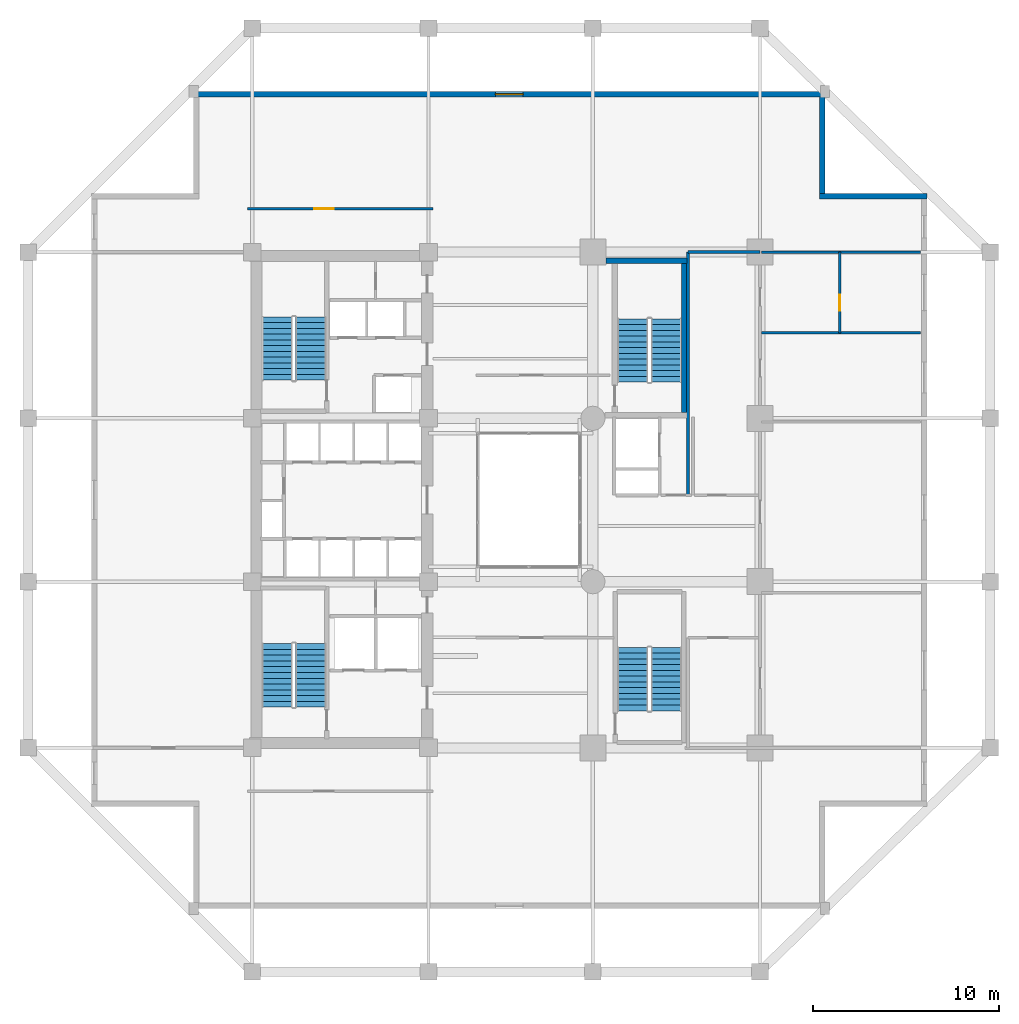
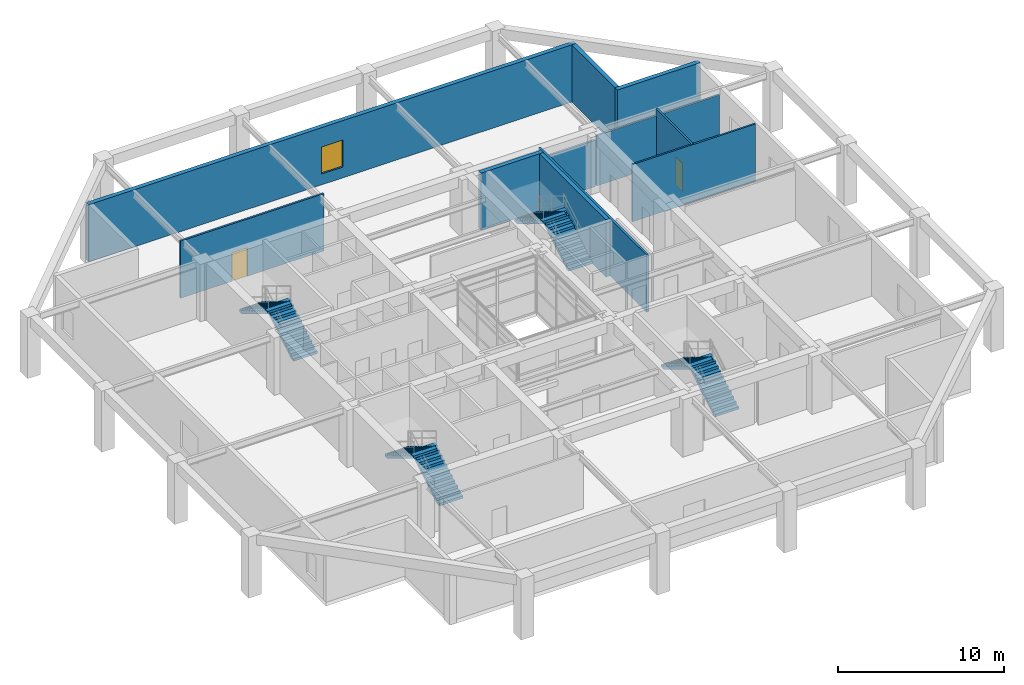
# One storey, part 9 of 10: 11 walls, 8 stair flights, 2 doors, 1 window, 3 openings, 4 elements without a shape of their own.
"""IFC4 building model written with IfcOpenShell, lengths in metres."""

from ifc_helpers import new_model, si_unit, direction, frame, frame_2d, origin, place, context, subcontext, project, spatial, polyline, rectangle, outline, extrude, material, layer, layer_set, type_object, element, fill, aggregate, save


model = new_model("IFC4")

# Units and contexts
model_context = context("Model", 3, precision=1e-05, world=origin(), true_north=direction((0.0, 1.0)))
body_context = subcontext(model_context, "Body", "Model", "MODEL_VIEW")
ifc_project = project(units=[si_unit("LENGTHUNIT", "METRE"), si_unit("AREAUNIT", "SQUARE_METRE"), si_unit("VOLUMEUNIT", "CUBIC_METRE"), si_unit("PLANEANGLEUNIT", "RADIAN"), si_unit("MASSUNIT", "GRAM", prefix="KILO")], contexts=[model_context])

# Site, building, storey
site_placement = place(None, origin())
site = spatial("IfcSite", under=ifc_project, at=site_placement, CompositionType="ELEMENT")
building_placement = place(site_placement, origin())
building = spatial("IfcBuilding", under=site, at=building_placement, Name="Kundavana Baori Tower", CompositionType="ELEMENT")
storey_placement = place(building_placement, frame((0.0, 0.0, 8.0)))
storey = spatial("IfcBuildingStorey", under=building, at=storey_placement, Name="L01", CompositionType="ELEMENT", Elevation=8.0)

# Walls
ifc_material_1 = material(Name="Red-Buff Dholpur Sandstone Cladding on Concrete C40/50", Category="masonry")
ifc_layer_1 = layer(ifc_material_1, 0.300048828125, Name="WL-EXT-SAND-300")
ifc_layer_set_1 = layer_set([ifc_layer_1], Name="Red-Buff Dholpur Sandstone Cladding on Concrete C40/50")
wall_type_1 = type_object("IfcWallType", Name="WL-EXT-SAND-300", PredefinedType="STANDARD", material=ifc_layer_set_1)
wall_1_placement = place(storey_placement, frame((51.800048828125, 44.949951171875, 0.0), z_axis=(0.0, 0.0, 1.0), x_axis=(-1.0, 0.0, 0.0)))
element("IfcWall", 1, at=wall_1_placement, inside=storey, type_object=wall_type_1, Name="L01 Exterior Insulated Facade Wall 05", PredefinedType="STANDARD", context=body_context, shape_type="SweptSolid", body=[
    extrude(rectangle(XDim=5.800048828125, YDim=0.300048828125, at=frame_2d((2.89990234375, 0.0))), origin(), (0.0, 0.0, 1.0), 4.219970703125),
])
wall_2_placement = place(storey_placement, frame((46.14990234375, 45.10009765625, 0.0), z_axis=(0.0, 0.0, 1.0), x_axis=(0.0, 1.0, 0.0)))
element("IfcWall", 2, at=wall_2_placement, inside=storey, type_object=wall_type_1, Name="L01 Exterior Insulated Facade Wall 06", PredefinedType="STANDARD", context=body_context, shape_type="SweptSolid", body=[
    extrude(rectangle(XDim=5.199951171875, YDim=0.300048828125, at=frame_2d((2.60009765625, 0.0))), origin(), (0.0, 0.0, 1.0), 4.219970703125),
])

# Wall, opening, window
wall_3_placement = place(storey_placement, frame((46.300048828125, 50.449951171875, 0.0), z_axis=(0.0, 0.0, 1.0), x_axis=(-1.0, 0.0, 0.0)))
wall_3 = element("IfcWall", 3, at=wall_3_placement, inside=storey, type_object=wall_type_1, Name="L01 Exterior Insulated Facade Wall 07", PredefinedType="STANDARD", context=body_context, shape_type="SweptSolid", body=[
    extrude(rectangle(XDim=34.0, YDim=0.300048828125, at=frame_2d((17.0, 0.0))), origin(), (0.0, 0.0, 1.0), 4.219970703125),
])
opening_1_placement = place(wall_3_placement, frame((16.25, 0.0, 0.800048828125)))
opening_1 = element("IfcOpeningElement", 4, at=opening_1_placement, cuts=wall_3, Name="Opening W-02", PredefinedType="OPENING", context=body_context, shape_type="SweptSolid", body=[
    extrude(rectangle(XDim=1.5, YDim=2.0, at=frame_2d((0.75, 1.0))), frame((0.0, 0.16015625, 0.0), z_axis=(0.0, -1.0, 0.0), x_axis=(1.0, 0.0, 0.0)), (0.0, 0.0, 1.0), 0.320068359375),
])
ifc_material_2 = material(Name="Double-Glazed Solar-Control Low-E Insulated Glass", Category="glass")
window_type = type_object("IfcWindowType", Name="WIN-LOG-1500x2000", PartitioningType="SINGLE_PANEL", PredefinedType="WINDOW", material=ifc_material_2)
window_placement = place(opening_1_placement, origin())
window = element("IfcWindow", 5, at=window_placement, inside=storey, type_object=window_type, Name="L01 Recessed Loggia Window N-1", OverallHeight=2.0, OverallWidth=1.5, PartitioningType="SINGLE_PANEL", PredefinedType="WINDOW", context=body_context, shape_type="SweptSolid", body=[
    extrude(rectangle(XDim=1.5, YDim=2.0, at=frame_2d((0.75, 1.0))), frame((0.0, 0.030029296875, 0.0), z_axis=(0.0, -1.0, 0.0), x_axis=(1.0, 0.0, 0.0)), (0.0, 0.0, 1.0), 0.06005859375),
])
fill(opening_1, window)

# Wall, opening, door
ifc_material_3 = material(Name="Acoustic Gypsum Plasterboard on Galvanised Steel Studs", Category="steel")
ifc_layer_2 = layer(ifc_material_3, 0.135009765625, Name="WL-PART-135")
ifc_layer_set_2 = layer_set([ifc_layer_2], Name="Acoustic Gypsum Plasterboard on Galvanised Steel Studs")
wall_type_2 = type_object("IfcWallType", Name="WL-PART-135", PredefinedType="PARTITIONING", material=ifc_layer_set_2)
wall_4_placement = place(storey_placement, frame((15.199951171875, 44.280029296875, 0.0), z_axis=(0.0, 0.0, 1.0), x_axis=(1.0, 0.0, 0.0)))
wall_4 = element("IfcWall", 6, at=wall_4_placement, inside=storey, type_object=wall_type_2, Name="WL-L01-NC", PredefinedType="PARTITIONING", context=body_context, shape_type="SweptSolid", body=[
    extrude(rectangle(XDim=10.0, YDim=0.135009765625, at=frame_2d((5.0, 0.0))), origin(), (0.0, 0.0, 1.0), 4.219970703125),
])
opening_2_placement = place(wall_4_placement, frame((3.60009765625, 0.0, 0.0)))
opening_2 = element("IfcOpeningElement", 7, at=opening_2_placement, cuts=wall_4, Name="Opening ID-105", PredefinedType="OPENING", context=body_context, shape_type="SweptSolid", body=[
    extrude(rectangle(XDim=1.050048828125, YDim=2.10009765625, at=frame_2d((0.52490234375, 1.050048828125))), frame((0.0, 0.07763671875, 0.0), z_axis=(0.0, -1.0, 0.0), x_axis=(1.0, 0.0, 0.0)), (0.0, 0.0, 1.0), 0.155029296875),
])
ifc_material_4 = material(Name="Engineered Teak Solid-Core Timber Veneer", Category="wood")
door_type_1 = type_object("IfcDoorType", Name="DR-INT-1050", OperationType="NOTDEFINED", PredefinedType="DOOR", material=ifc_material_4)
door_1_placement = place(opening_2_placement, origin())
door_1 = element("IfcDoor", 8, at=door_1_placement, inside=storey, type_object=door_type_1, Name="DR-L01-RNW", OperationType="SINGLE_SWING_RIGHT", OverallHeight=2.10009765625, OverallWidth=1.050048828125, PredefinedType="DOOR", context=body_context, shape_type="SweptSolid", body=[
    extrude(rectangle(XDim=1.050048828125, YDim=2.10009765625, at=frame_2d((0.52490234375, 1.050048828125))), frame((0.0, 0.02490234375, 0.0), z_axis=(0.0, -1.0, 0.0), x_axis=(1.0, 0.0, 0.0)), (0.0, 0.0, 1.0), 0.050048828125),
])
fill(opening_2, door_1)

# Walls
ifc_material_5 = material(Name="Fire-Rated Gypsum Drywall on Galvanised Steel Studs", Category="steel")
ifc_layer_3 = layer(ifc_material_5, 0.14990234375, Name="WL-PART-150")
ifc_layer_set_3 = layer_set([ifc_layer_3], Name="Fire-Rated Gypsum Drywall on Galvanised Steel Studs")
wall_type_3 = type_object("IfcWallType", Name="WL-PART-150", PredefinedType="PARTITIONING", material=ifc_layer_set_3)
wall_5_placement = place(storey_placement, frame((38.919921875, 28.860107421875, 0.0), z_axis=(0.0, 0.0, 1.0), x_axis=(0.0, 1.0, 0.0)))
element("IfcWall", 9, at=wall_5_placement, inside=storey, type_object=wall_type_3, Name="WL-L01-PEATW", PredefinedType="PARTITIONING", context=body_context, shape_type="SweptSolid", body=[
    extrude(rectangle(XDim=13.08984375, YDim=0.14990234375, at=frame_2d((6.544921875, 0.0))), origin(), (0.0, 0.0, 1.0), 4.219970703125),
])
wall_6_placement = place(storey_placement, frame((38.919921875, 41.949951171875, 0.0), z_axis=(0.0, 0.0, 1.0), x_axis=(1.0, 0.0, 0.0)))
element("IfcWall", 10, at=wall_6_placement, inside=storey, type_object=wall_type_3, Name="WL-L01-PEATN", PredefinedType="PARTITIONING", context=body_context, shape_type="SweptSolid", body=[
    extrude(rectangle(XDim=3.880126953125, YDim=0.14990234375, at=frame_2d((1.93994140625, 0.0))), origin(), (0.0, 0.0, 1.0), 3.419921875),
])
ifc_material_6 = material(Name="Concrete C50/60", Category="concrete")
ifc_layer_4 = layer(ifc_material_6, 0.300048828125, Name="WL-ST3-300")
ifc_layer_set_4 = layer_set([ifc_layer_4], Name="Concrete C50/60")
wall_type_4 = type_object("IfcWallType", Name="WL-ST3-300", PredefinedType="SHEAR", material=ifc_layer_set_4)
wall_7_placement = place(storey_placement, frame((34.5, 41.489990234375, 0.0), z_axis=(0.0, 0.0, 1.0), x_axis=(1.0, 0.0, 0.0)))
element("IfcWall", 11, at=wall_7_placement, inside=storey, type_object=wall_type_4, Name="L01 Stair ST3 North Shear Wall", PredefinedType="SHEAR", context=body_context, shape_type="SweptSolid", body=[
    extrude(rectangle(XDim=4.3701171875, YDim=0.300048828125, at=frame_2d((2.18505859375, 0.0))), origin(), (0.0, 0.0, 1.0), 4.219970703125),
])
wall_8_placement = place(storey_placement, frame((38.719970703125, 33.31005859375, 0.0), z_axis=(0.0, 0.0, 1.0), x_axis=(0.0, 1.0, 0.0)))
element("IfcWall", 12, at=wall_8_placement, inside=storey, type_object=wall_type_4, Name="L01 Stair ST3 East Shear Wall", PredefinedType="SHEAR", context=body_context, shape_type="SweptSolid", body=[
    extrude(rectangle(XDim=8.030029296875, YDim=0.300048828125, at=frame_2d((4.01513671875, 0.0))), origin(), (0.0, 0.0, 1.0), 4.219970703125),
])
ifc_material_7 = material(Name="Autoclaved Aerated Concrete Blockwork Masonry", Category="masonry")
ifc_layer_5 = layer(ifc_material_7, 0.125, Name="WL-WET-120")
ifc_layer_set_5 = layer_set([ifc_layer_5], Name="Autoclaved Aerated Concrete Blockwork Masonry")
wall_type_5 = type_object("IfcWallType", Name="WL-WET-120", PredefinedType="PLUMBINGWALL", material=ifc_layer_set_5)
wall_9_placement = place(storey_placement, frame((42.8798828125, 41.949951171875, 0.0), z_axis=(0.0, 0.0, 1.0), x_axis=(1.0, 0.0, 0.0)))
element("IfcWall", 13, at=wall_9_placement, inside=storey, type_object=wall_type_5, Name="WL-L01-PODE-N", PredefinedType="PLUMBINGWALL", context=body_context, shape_type="SweptSolid", body=[
    extrude(rectangle(XDim=8.570068359375, YDim=0.125, at=frame_2d((4.28515625, 0.0))), origin(), (0.0, 0.0, 1.0), 3.719970703125),
])
wall_10_placement = place(storey_placement, frame((42.8798828125, 37.60009765625, 0.0), z_axis=(0.0, 0.0, 1.0), x_axis=(1.0, 0.0, 0.0)))
element("IfcWall", 14, at=wall_10_placement, inside=storey, type_object=wall_type_5, Name="WL-L01-ED3", PredefinedType="PLUMBINGWALL", context=body_context, shape_type="SweptSolid", body=[
    extrude(rectangle(XDim=8.570068359375, YDim=0.125, at=frame_2d((4.28515625, 0.0))), origin(), (0.0, 0.0, 1.0), 4.219970703125),
])

# Wall, opening, door
wall_11_placement = place(storey_placement, frame((47.10009765625, 37.60009765625, 0.0), z_axis=(0.0, 0.0, 1.0), x_axis=(0.0, 1.0, 0.0)))
wall_11 = element("IfcWall", 15, at=wall_11_placement, inside=storey, type_object=wall_type_5, Name="WL-L01-WCAD", PredefinedType="PLUMBINGWALL", context=body_context, shape_type="SweptSolid", body=[
    extrude(rectangle(XDim=4.349853515625, YDim=0.125, at=frame_2d((2.1748046875, 0.0))), origin(), (0.0, 0.0, 1.0), 4.219970703125),
])
opening_3_placement = place(wall_11_placement, frame((1.199951171875, 0.0, 0.0)))
opening_3 = element("IfcOpeningElement", 16, at=opening_3_placement, cuts=wall_11, Name="Opening WD-085", PredefinedType="OPENING", context=body_context, shape_type="SweptSolid", body=[
    extrude(rectangle(XDim=0.85009765625, YDim=2.050048828125, at=frame_2d((0.425048828125, 1.02490234375))), frame((0.0, 0.072509765625, 0.0), z_axis=(0.0, -1.0, 0.0), x_axis=(1.0, 0.0, 0.0)), (0.0, 0.0, 1.0), 0.14501953125),
])
ifc_material_8 = material(Name="Engineered Teak Solid-Core Timber Veneer", Category="wood")
door_type_2 = type_object("IfcDoorType", Name="DR-WET-850", OperationType="NOTDEFINED", PredefinedType="DOOR", material=ifc_material_8)
door_2_placement = place(opening_3_placement, origin())
door_2 = element("IfcDoor", 17, at=door_2_placement, inside=storey, type_object=door_type_2, Name="DR-L01-WCPR", OperationType="SINGLE_SWING_LEFT", OverallHeight=2.050048828125, OverallWidth=0.85009765625, PredefinedType="DOOR", context=body_context, shape_type="SweptSolid", body=[
    extrude(rectangle(XDim=0.85009765625, YDim=2.050048828125, at=frame_2d((0.425048828125, 1.02490234375))), frame((0.0, 0.02490234375, 0.0), z_axis=(0.0, -1.0, 0.0), x_axis=(1.0, 0.0, 0.0)), (0.0, 0.0, 1.0), 0.050048828125),
])
fill(opening_3, door_2)

# Stair, stair flights
ifc_material_9 = material(Name="Concrete C40/50", Category="concrete")
stair_type = type_object("IfcStairType", Name="STR-DOG-1650", PredefinedType="HALF_TURN_STAIR", material=ifc_material_9)
stair_1_placement = place(storey_placement, origin())
stair_1 = element("IfcStair", 18, at=stair_1_placement, inside=storey, type_object=stair_type, Name="L01 Protected Exit Stair ST1", PredefinedType="HALF_TURN_STAIR")
ifc_material_10 = material(Name="Concrete C40/50", Category="concrete")
stair_flight_type = type_object("IfcStairFlightType", Name="SFL-RC-1650", PredefinedType="STRAIGHT", material=ifc_material_10)
stair_flight_1_placement = place(storey_placement, frame((18.614990234375, 17.449951171875, 0.0), z_axis=(0.0, 0.0, 1.0), x_axis=(0.0, 1.0, 0.0)))
stair_flight_1 = element("IfcStairFlight", 19, at=stair_flight_1_placement, type_object=stair_flight_type, Name="ST1 flight 1", NumberOfRisers=12, NumberOfTreads=11, PredefinedType="STRAIGHT", RiserHeight=0.1875, TreadLength=0.31, context=body_context, shape_type="SweptSolid", body=[
    extrude(outline(polyline([(0.0, 0.0), (0.0, 0.1875), (0.31005859375, 0.1875), (0.31005859375, 0.375), (0.6201171875, 0.375), (0.6201171875, 0.5625), (0.929931640625, 0.5625), (0.929931640625, 0.75), (1.239990234375, 0.75), (1.239990234375, 0.9375), (1.550048828125, 0.9375), (1.550048828125, 1.125), (1.860107421875, 1.125), (1.860107421875, 1.3125), (2.169921875, 1.3125), (2.169921875, 1.5), (2.47998046875, 1.5), (2.47998046875, 1.6875), (2.7900390625, 1.6875), (2.7900390625, 1.875), (3.10009765625, 1.875), (3.10009765625, 2.0625), (3.409912109375, 2.0625), (3.409912109375, 2.25), (3.409912109375, 1.88720703125), (0.28955078125, 0.0), (0.0, 0.0)])), frame((0.0, 0.824951171875, 0.0), z_axis=(0.0, -1.0, 0.0), x_axis=(1.0, 0.0, 0.0)), (0.0, 0.0, 1.0), 1.64990234375),
])
stair_flight_2_placement = place(storey_placement, frame((16.804931640625, 20.860107421875, 2.25), z_axis=(0.0, 0.0, 1.0), x_axis=(0.0, -1.0, 0.0)))
stair_flight_2 = element("IfcStairFlight", 20, at=stair_flight_2_placement, type_object=stair_flight_type, Name="ST1 flight 2", NumberOfRisers=12, NumberOfTreads=11, PredefinedType="STRAIGHT", RiserHeight=0.1875, TreadLength=0.31, context=body_context, shape_type="SweptSolid", body=[
    extrude(outline(polyline([(0.0, 0.0), (0.0, 0.1875), (0.31005859375, 0.1875), (0.31005859375, 0.375), (0.6201171875, 0.375), (0.6201171875, 0.5625), (0.929931640625, 0.5625), (0.929931640625, 0.75), (1.239990234375, 0.75), (1.239990234375, 0.9375), (1.550048828125, 0.9375), (1.550048828125, 1.125), (1.860107421875, 1.125), (1.860107421875, 1.3125), (2.169921875, 1.3125), (2.169921875, 1.5), (2.47998046875, 1.5), (2.47998046875, 1.6875), (2.7900390625, 1.6875), (2.7900390625, 1.875), (3.10009765625, 1.875), (3.10009765625, 2.0625), (3.409912109375, 2.0625), (3.409912109375, 2.25), (3.409912109375, 1.88720703125), (0.28955078125, 0.0), (0.0, 0.0)])), frame((0.0, 0.824951171875, 0.0), z_axis=(0.0, -1.0, 0.0), x_axis=(1.0, 0.0, 0.0)), (0.0, 0.0, 1.0), 1.64990234375),
])
aggregate(stair_1, [stair_flight_1, stair_flight_2])

stair_2_placement = place(storey_placement, origin())
stair_2 = element("IfcStair", 21, at=stair_2_placement, inside=storey, type_object=stair_type, Name="L01 Protected Exit Stair ST2", PredefinedType="HALF_TURN_STAIR")
stair_flight_3_placement = place(storey_placement, frame((18.614990234375, 35.050048828125, 0.0), z_axis=(0.0, 0.0, 1.0), x_axis=(0.0, 1.0, 0.0)))
stair_flight_3 = element("IfcStairFlight", 22, at=stair_flight_3_placement, type_object=stair_flight_type, Name="ST2 flight 1", NumberOfRisers=12, NumberOfTreads=11, PredefinedType="STRAIGHT", RiserHeight=0.1875, TreadLength=0.31, context=body_context, shape_type="SweptSolid", body=[
    extrude(outline(polyline([(0.0, 0.0), (0.0, 0.1875), (0.31005859375, 0.1875), (0.31005859375, 0.375), (0.6201171875, 0.375), (0.6201171875, 0.5625), (0.929931640625, 0.5625), (0.929931640625, 0.75), (1.239990234375, 0.75), (1.239990234375, 0.9375), (1.550048828125, 0.9375), (1.550048828125, 1.125), (1.860107421875, 1.125), (1.860107421875, 1.3125), (2.169921875, 1.3125), (2.169921875, 1.5), (2.47998046875, 1.5), (2.47998046875, 1.6875), (2.7900390625, 1.6875), (2.7900390625, 1.875), (3.10009765625, 1.875), (3.10009765625, 2.0625), (3.409912109375, 2.0625), (3.409912109375, 2.25), (3.409912109375, 1.88720703125), (0.28955078125, 0.0), (0.0, 0.0)])), frame((0.0, 0.824951171875, 0.0), z_axis=(0.0, -1.0, 0.0), x_axis=(1.0, 0.0, 0.0)), (0.0, 0.0, 1.0), 1.64990234375),
])
stair_flight_4_placement = place(storey_placement, frame((16.804931640625, 38.4599609375, 2.25), z_axis=(0.0, 0.0, 1.0), x_axis=(0.0, -1.0, 0.0)))
stair_flight_4 = element("IfcStairFlight", 23, at=stair_flight_4_placement, type_object=stair_flight_type, Name="ST2 flight 2", NumberOfRisers=12, NumberOfTreads=11, PredefinedType="STRAIGHT", RiserHeight=0.1875, TreadLength=0.31, context=body_context, shape_type="SweptSolid", body=[
    extrude(outline(polyline([(0.0, 0.0), (0.0, 0.1875), (0.31005859375, 0.1875), (0.31005859375, 0.375), (0.6201171875, 0.375), (0.6201171875, 0.5625), (0.929931640625, 0.5625), (0.929931640625, 0.75), (1.239990234375, 0.75), (1.239990234375, 0.9375), (1.550048828125, 0.9375), (1.550048828125, 1.125), (1.860107421875, 1.125), (1.860107421875, 1.3125), (2.169921875, 1.3125), (2.169921875, 1.5), (2.47998046875, 1.5), (2.47998046875, 1.6875), (2.7900390625, 1.6875), (2.7900390625, 1.875), (3.10009765625, 1.875), (3.10009765625, 2.0625), (3.409912109375, 2.0625), (3.409912109375, 2.25), (3.409912109375, 1.88720703125), (0.28955078125, 0.0), (0.0, 0.0)])), frame((0.0, 0.824951171875, 0.0), z_axis=(0.0, -1.0, 0.0), x_axis=(1.0, 0.0, 0.0)), (0.0, 0.0, 1.0), 1.64990234375),
])
aggregate(stair_2, [stair_flight_3, stair_flight_4])

stair_3_placement = place(storey_placement, origin())
stair_3 = element("IfcStair", 24, at=stair_3_placement, inside=storey, type_object=stair_type, Name="L01 Protected Exit Stair ST3", PredefinedType="HALF_TURN_STAIR")
stair_flight_5_placement = place(storey_placement, frame((37.7548828125, 34.949951171875, 0.0), z_axis=(0.0, 0.0, 1.0), x_axis=(0.0, 1.0, 0.0)))
stair_flight_5 = element("IfcStairFlight", 25, at=stair_flight_5_placement, type_object=stair_flight_type, Name="ST3 flight 1", NumberOfRisers=12, NumberOfTreads=11, PredefinedType="STRAIGHT", RiserHeight=0.1875, TreadLength=0.31, context=body_context, shape_type="SweptSolid", body=[
    extrude(outline(polyline([(0.0, 0.0), (0.0, 0.1875), (0.31005859375, 0.1875), (0.31005859375, 0.375), (0.6201171875, 0.375), (0.6201171875, 0.5625), (0.929931640625, 0.5625), (0.929931640625, 0.75), (1.239990234375, 0.75), (1.239990234375, 0.9375), (1.550048828125, 0.9375), (1.550048828125, 1.125), (1.860107421875, 1.125), (1.860107421875, 1.3125), (2.169921875, 1.3125), (2.169921875, 1.5), (2.47998046875, 1.5), (2.47998046875, 1.6875), (2.7900390625, 1.6875), (2.7900390625, 1.875), (3.10009765625, 1.875), (3.10009765625, 2.0625), (3.409912109375, 2.0625), (3.409912109375, 2.25), (3.409912109375, 1.88720703125), (0.28955078125, 0.0), (0.0, 0.0)])), frame((0.0, 0.824951171875, 0.0), z_axis=(0.0, -1.0, 0.0), x_axis=(1.0, 0.0, 0.0)), (0.0, 0.0, 1.0), 1.64990234375),
])
stair_flight_6_placement = place(storey_placement, frame((35.945068359375, 38.360107421875, 2.25), z_axis=(0.0, 0.0, 1.0), x_axis=(0.0, -1.0, 0.0)))
stair_flight_6 = element("IfcStairFlight", 26, at=stair_flight_6_placement, type_object=stair_flight_type, Name="ST3 flight 2", NumberOfRisers=12, NumberOfTreads=11, PredefinedType="STRAIGHT", RiserHeight=0.1875, TreadLength=0.31, context=body_context, shape_type="SweptSolid", body=[
    extrude(outline(polyline([(0.0, 0.0), (0.0, 0.1875), (0.31005859375, 0.1875), (0.31005859375, 0.375), (0.6201171875, 0.375), (0.6201171875, 0.5625), (0.929931640625, 0.5625), (0.929931640625, 0.75), (1.239990234375, 0.75), (1.239990234375, 0.9375), (1.550048828125, 0.9375), (1.550048828125, 1.125), (1.860107421875, 1.125), (1.860107421875, 1.3125), (2.169921875, 1.3125), (2.169921875, 1.5), (2.47998046875, 1.5), (2.47998046875, 1.6875), (2.7900390625, 1.6875), (2.7900390625, 1.875), (3.10009765625, 1.875), (3.10009765625, 2.0625), (3.409912109375, 2.0625), (3.409912109375, 2.25), (3.409912109375, 1.88720703125), (0.28955078125, 0.0), (0.0, 0.0)])), frame((0.0, 0.824951171875, 0.0), z_axis=(0.0, -1.0, 0.0), x_axis=(1.0, 0.0, 0.0)), (0.0, 0.0, 1.0), 1.64990234375),
])
aggregate(stair_3, [stair_flight_5, stair_flight_6])

stair_4_placement = place(storey_placement, origin())
stair_4 = element("IfcStair", 27, at=stair_4_placement, inside=storey, type_object=stair_type, Name="L01 Podium Atrium Stair ST4", PredefinedType="HALF_TURN_STAIR")
stair_flight_7_placement = place(storey_placement, frame((37.7548828125, 17.25, 0.0), z_axis=(0.0, 0.0, 1.0), x_axis=(0.0, 1.0, 0.0)))
stair_flight_7 = element("IfcStairFlight", 28, at=stair_flight_7_placement, type_object=stair_flight_type, Name="ST4 flight 1", NumberOfRisers=12, NumberOfTreads=11, PredefinedType="STRAIGHT", RiserHeight=0.1875, TreadLength=0.31, context=body_context, shape_type="SweptSolid", body=[
    extrude(outline(polyline([(0.0, 0.0), (0.0, 0.1875), (0.31005859375, 0.1875), (0.31005859375, 0.375), (0.6201171875, 0.375), (0.6201171875, 0.5625), (0.929931640625, 0.5625), (0.929931640625, 0.75), (1.239990234375, 0.75), (1.239990234375, 0.9375), (1.550048828125, 0.9375), (1.550048828125, 1.125), (1.860107421875, 1.125), (1.860107421875, 1.3125), (2.169921875, 1.3125), (2.169921875, 1.5), (2.47998046875, 1.5), (2.47998046875, 1.6875), (2.7900390625, 1.6875), (2.7900390625, 1.875), (3.10009765625, 1.875), (3.10009765625, 2.0625), (3.409912109375, 2.0625), (3.409912109375, 2.25), (3.409912109375, 1.88720703125), (0.28955078125, 0.0), (0.0, 0.0)])), frame((0.0, 0.824951171875, 0.0), z_axis=(0.0, -1.0, 0.0), x_axis=(1.0, 0.0, 0.0)), (0.0, 0.0, 1.0), 1.64990234375),
])
stair_flight_8_placement = place(storey_placement, frame((35.945068359375, 20.659912109375, 2.25), z_axis=(0.0, 0.0, 1.0), x_axis=(0.0, -1.0, 0.0)))
stair_flight_8 = element("IfcStairFlight", 29, at=stair_flight_8_placement, type_object=stair_flight_type, Name="ST4 flight 2", NumberOfRisers=12, NumberOfTreads=11, PredefinedType="STRAIGHT", RiserHeight=0.1875, TreadLength=0.31, context=body_context, shape_type="SweptSolid", body=[
    extrude(outline(polyline([(0.0, 0.0), (0.0, 0.1875), (0.31005859375, 0.1875), (0.31005859375, 0.375), (0.6201171875, 0.375), (0.6201171875, 0.5625), (0.929931640625, 0.5625), (0.929931640625, 0.75), (1.239990234375, 0.75), (1.239990234375, 0.9375), (1.550048828125, 0.9375), (1.550048828125, 1.125), (1.860107421875, 1.125), (1.860107421875, 1.3125), (2.169921875, 1.3125), (2.169921875, 1.5), (2.47998046875, 1.5), (2.47998046875, 1.6875), (2.7900390625, 1.6875), (2.7900390625, 1.875), (3.10009765625, 1.875), (3.10009765625, 2.0625), (3.409912109375, 2.0625), (3.409912109375, 2.25), (3.409912109375, 1.88720703125), (0.28955078125, 0.0), (0.0, 0.0)])), frame((0.0, 0.824951171875, 0.0), z_axis=(0.0, -1.0, 0.0), x_axis=(1.0, 0.0, 0.0)), (0.0, 0.0, 1.0), 1.64990234375),
])
aggregate(stair_4, [stair_flight_7, stair_flight_8])

save(model, "model.ifc")
